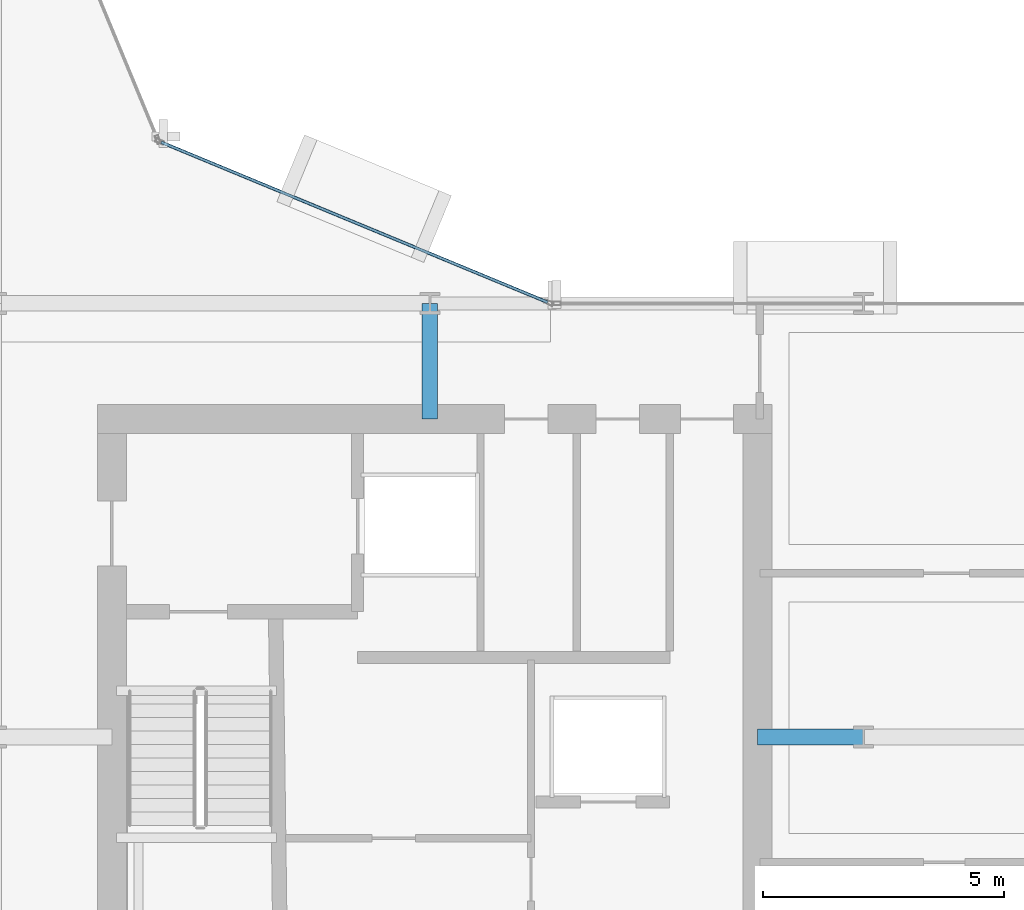
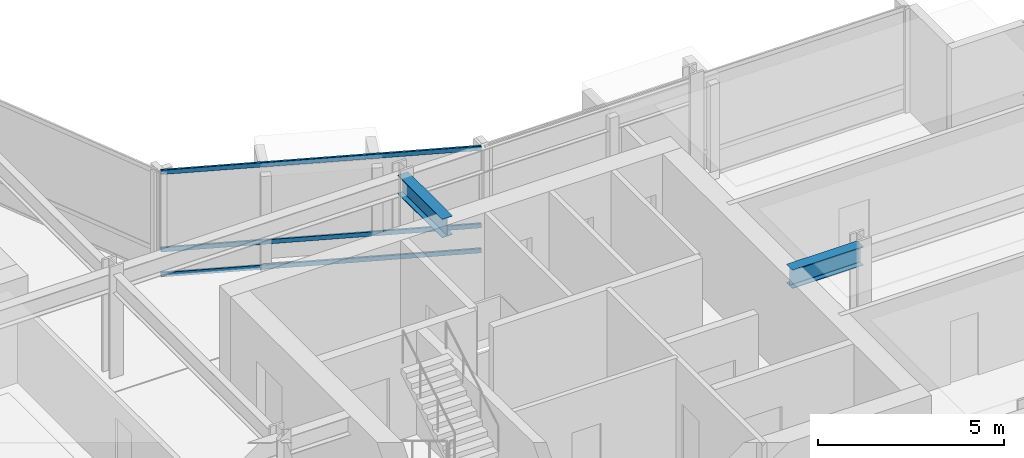
# One storey, part 12 of 29: 3 members, 2 beams, 1 element without a shape of its own.
"""IFC4 building model written with IfcOpenShell, lengths in metres."""

from ifc_helpers import new_model, si_unit, direction, frame, origin, origin_2d, place, context, subcontext, project, spatial, hollow_rectangle, i_section, extrude, material, layer, layer_set, material_profile, profile_set, type_object, element, aggregate, save


model = new_model("IFC4")

# Units and contexts
model_context = context("Model", 3, precision=1e-05, world=origin(), true_north=direction((0.0, 1.0)))
body_context = subcontext(model_context, "Body", "Model", "MODEL_VIEW")
ifc_project = project(units=[si_unit("LENGTHUNIT", "METRE"), si_unit("AREAUNIT", "SQUARE_METRE"), si_unit("VOLUMEUNIT", "CUBIC_METRE"), si_unit("PLANEANGLEUNIT", "RADIAN"), si_unit("MASSUNIT", "GRAM", prefix="KILO")], contexts=[model_context])

# Site, building, storey
site_placement = place(None, origin())
site = spatial("IfcSite", under=ifc_project, at=site_placement, CompositionType="ELEMENT")
building_placement = place(site_placement, origin())
building = spatial("IfcBuilding", under=site, at=building_placement, Name="Solvaryn Broadcast Tower", CompositionType="ELEMENT")
storey_placement = place(building_placement, frame((0.0, 0.0, 113.699951171875)))
storey = spatial("IfcBuildingStorey", under=building, at=storey_placement, Name="L27", CompositionType="ELEMENT", Elevation=113.699951171875)

# Beams
ifc_material_1 = material(Name="Steel ASTM A992 Grade 50", Category="steel")
ifc_material_profile_1 = material_profile(ifc_material_1, i_section(OverallWidth=0.323974609375, OverallDepth=0.611083984375, WebThickness=0.0126953125, FlangeThickness=0.01904296875, FilletRadius=0.014892578125, at=origin_2d()))
ifc_profile_set_1 = profile_set([ifc_material_profile_1], Name="Steel ASTM A992 Grade 50")
beam_type = type_object("IfcBeamType", Name="BM-B1-W24X104", PredefinedType="BEAM", material=ifc_profile_set_1)
beam_1_placement = place(storey_placement, frame((36.0, 24.60009765625, 3.114501953125), z_axis=(0.0, 1.0, 0.0), x_axis=(-1.0, 0.0, 0.0)))
element("IfcBeam", 1, at=beam_1_placement, inside=storey, type_object=beam_type, Name="L27 Core Tie Beam CTE2", PredefinedType="BEAM", context=body_context, shape_type="SweptSolid", body=[
    extrude(i_section(OverallWidth=0.323974609375, OverallDepth=0.611083984375, WebThickness=0.0126953125, FlangeThickness=0.01904296875, FilletRadius=0.014892578125, at=origin_2d()), origin(), (0.0, 0.0, 1.0), 2.39990234375),
])
beam_2_placement = place(storey_placement, frame((42.800048828125, 18.0, 3.114501953125), z_axis=(1.0, 0.0, 0.0), x_axis=(0.0, 1.0, 0.0)))
element("IfcBeam", 2, at=beam_2_placement, inside=storey, type_object=beam_type, Name="L27 Core Tie Beam CTE3", PredefinedType="BEAM", context=body_context, shape_type="SweptSolid", body=[
    extrude(i_section(OverallWidth=0.323974609375, OverallDepth=0.611083984375, WebThickness=0.0126953125, FlangeThickness=0.01904296875, FilletRadius=0.014892578125, at=origin_2d()), origin(), (0.0, 0.0, 1.0), 2.199951171875),
])

# Curtain wall, members
ifc_material_2 = material(Name="Aluminium and Terracotta Unitised Curtain Wall", Category="masonry")
ifc_layer = layer(ifc_material_2, 0.199951171875)
ifc_layer_set = layer_set([ifc_layer], Name="CW-SYS2-LOWMID")
curtain_wall_type = type_object("IfcCurtainWallType", Name="CW-SYS2-LOWMID", PredefinedType="NOTDEFINED", material=ifc_layer_set)
curtain_wall_placement = place(storey_placement, origin())
curtain_wall = element("IfcCurtainWall", 3, at=curtain_wall_placement, inside=storey, type_object=curtain_wall_type, Name="L27 Curtain Wall CN1", PredefinedType="NOTDEFINED")
ifc_material_3 = material(Name="Anodised Aluminium 6063-T6", Category="aluminium")
ifc_material_profile_2 = material_profile(ifc_material_3, hollow_rectangle(XDim=0.06494140625, YDim=0.14990234375, WallThickness=0.00390625, InnerFilletRadius=0.00390625, OuterFilletRadius=0.008056640625, at=origin_2d()))
ifc_profile_set_2 = profile_set([ifc_material_profile_2], Name="Anodised Aluminium 6063-T6")
member_type = type_object("IfcMemberType", Name="CW-TRN-150", PredefinedType="USERDEFINED", material=ifc_profile_set_2)
member_1_placement = place(storey_placement, frame((38.444580078125, 27.02294921875, 0.030029296875), z_axis=(-0.923899282177, 0.382635748975, 0.0), x_axis=(-0.382635748975, -0.923899282177, 0.0)))
member_1 = element("IfcMember", 4, at=member_1_placement, type_object=member_type, Name="CWS2 transom 1.1", ObjectType="TRANSOM", PredefinedType="USERDEFINED", context=body_context, shape_type="SweptSolid", body=[
    extrude(hollow_rectangle(XDim=0.06494140625, YDim=0.14990234375, WallThickness=0.00390625, InnerFilletRadius=0.00390625, OuterFilletRadius=0.008056640625, at=origin_2d()), origin(), (0.0, 0.0, 1.0), 8.681884765625),
])
member_2_placement = place(storey_placement, frame((38.444580078125, 27.02294921875, 0.85009765625), z_axis=(-0.923899282177, 0.382635748975, 0.0), x_axis=(-0.382635748975, -0.923899282177, 0.0)))
member_2 = element("IfcMember", 5, at=member_2_placement, type_object=member_type, Name="CWS2 transom 1.2", ObjectType="TRANSOM", PredefinedType="USERDEFINED", context=body_context, shape_type="SweptSolid", body=[
    extrude(hollow_rectangle(XDim=0.06494140625, YDim=0.14990234375, WallThickness=0.00390625, InnerFilletRadius=0.00390625, OuterFilletRadius=0.008056640625, at=origin_2d()), origin(), (0.0, 0.0, 1.0), 8.681884765625),
])
member_3_placement = place(storey_placement, frame((38.444580078125, 27.02294921875, 3.39013671875), z_axis=(-0.923899282177, 0.382635748975, 0.0), x_axis=(-0.382635748975, -0.923899282177, 0.0)))
member_3 = element("IfcMember", 6, at=member_3_placement, type_object=member_type, Name="CWS2 transom 1.3", ObjectType="TRANSOM", PredefinedType="USERDEFINED", context=body_context, shape_type="SweptSolid", body=[
    extrude(hollow_rectangle(XDim=0.06494140625, YDim=0.14990234375, WallThickness=0.00390625, InnerFilletRadius=0.00390625, OuterFilletRadius=0.008056640625, at=origin_2d()), origin(), (0.0, 0.0, 1.0), 8.681884765625),
])
aggregate(curtain_wall, [member_1, member_2, member_3])

save(model, "model.ifc")
